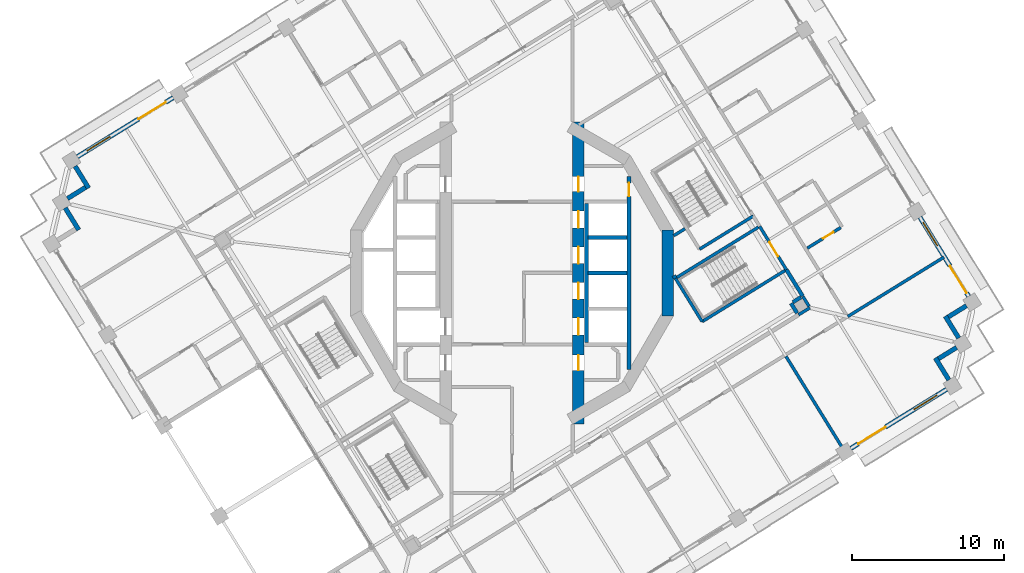
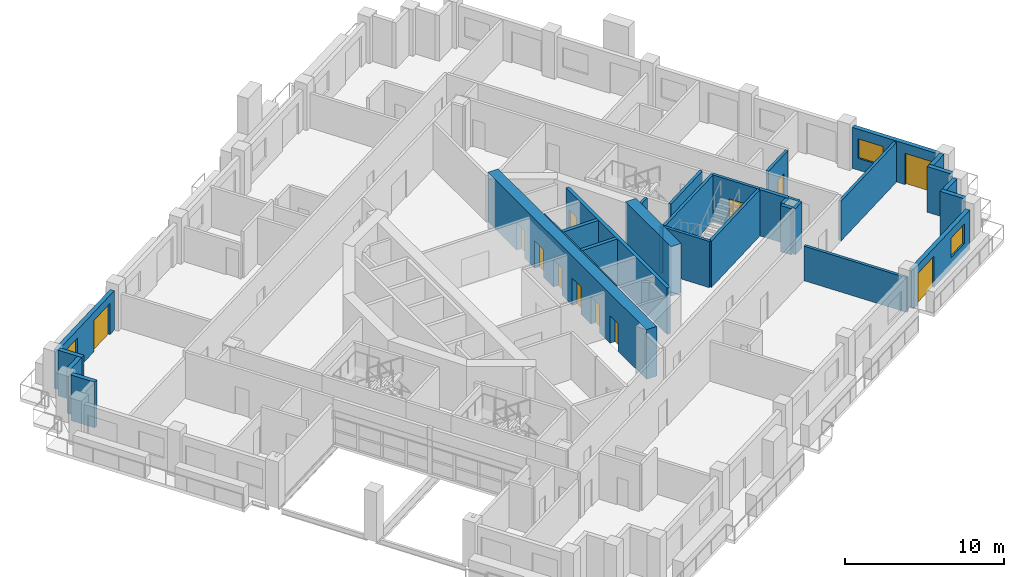
# One storey, part 10 of 22: 31 walls, 12 doors, 3 windows, 15 openings.
"""IFC4 building model written with IfcOpenShell, lengths in metres."""

from ifc_helpers import new_model, si_unit, direction, frame, frame_2d, origin, place, context, subcontext, project, spatial, rectangle, extrude, material, layer, layer_set, type_object, element, fill, save


model = new_model("IFC4")

# Units and contexts
model_context = context("Model", 3, precision=1e-05, world=origin(), true_north=direction((0.0, 1.0)))
body_context = subcontext(model_context, "Body", "Model", "MODEL_VIEW")
ifc_project = project(units=[si_unit("LENGTHUNIT", "METRE"), si_unit("AREAUNIT", "SQUARE_METRE"), si_unit("VOLUMEUNIT", "CUBIC_METRE"), si_unit("PLANEANGLEUNIT", "RADIAN"), si_unit("MASSUNIT", "GRAM", prefix="KILO")], contexts=[model_context])

# Site, building, storey
site_placement = place(None, origin())
site = spatial("IfcSite", under=ifc_project, at=site_placement, CompositionType="ELEMENT")
building_placement = place(site_placement, origin())
building = spatial("IfcBuilding", under=site, at=building_placement, Name="Cantera Rosa Tower", CompositionType="ELEMENT")
storey_placement = place(building_placement, frame((0.0, 0.0, 162.800048828125)))
storey = spatial("IfcBuildingStorey", under=building, at=storey_placement, Name="L35", CompositionType="ELEMENT", Elevation=162.800048828125)

# Walls
ifc_material_1 = material(Name="Gypsum board partition")
ifc_layer_1 = layer(ifc_material_1, 0.199951171875)
ifc_layer_set_1 = layer_set([ifc_layer_1], Name="CORRIDOR WALL 200 H3550")
wall_type_1 = type_object("IfcWallType", Name="CORRIDOR WALL 200 H3550", PredefinedType="PARTITIONING", material=ifc_layer_set_1)
wall_1_placement = place(storey_placement, frame((18.874267578125, -2.7509765625, 0.0), z_axis=(0.0, 0.0, 1.0), x_axis=(0.851162606387, 0.524902102766, 0.0)))
element("IfcWall", 1, at=wall_1_placement, inside=storey, type_object=wall_type_1, Name="CORRIDOR WALL L35-118", PredefinedType="PARTITIONING", context=body_context, shape_type="SweptSolid", body=[
    extrude(rectangle(XDim=0.8798828125, YDim=0.199951171875, at=frame_2d((0.43994140625, 0.0))), origin(), (0.0, 0.0, 1.0), 3.550048828125),
])
wall_2_placement = place(storey_placement, frame((19.57080078125, -2.203857421875, 0.0), z_axis=(0.0, 0.0, 1.0), x_axis=(-0.524952958213, 0.851131242326, 0.0)))
element("IfcWall", 2, at=wall_2_placement, inside=storey, type_object=wall_type_1, Name="CORRIDOR WALL L35-121", PredefinedType="PARTITIONING", context=body_context, shape_type="SweptSolid", body=[
    extrude(rectangle(XDim=0.780029296875, YDim=0.199951171875, at=frame_2d((0.39013671875, 0.0))), origin(), (0.0, 0.0, 1.0), 3.550048828125),
])
ifc_material_2 = material(Name="Hollow clay masonry with cantera stone cladding", Category="masonry")
ifc_layer_2 = layer(ifc_material_2, 0.300048828125)
ifc_layer_set_2 = layer_set([ifc_layer_2], Name="EW-LOGGIA 300")
wall_type_2 = type_object("IfcWallType", Name="EW-LOGGIA 300", PredefinedType="SOLIDWALL", material=ifc_layer_set_2)
wall_3_placement = place(storey_placement, frame((-28.7802734375, 7.0390625, 0.0), z_axis=(0.0, 0.0, 1.0), x_axis=(0.524994468487, -0.851105638601, 0.0)))
element("IfcWall", 3, at=wall_3_placement, inside=storey, type_object=wall_type_2, Name="EN-L35-W13a", PredefinedType="SOLIDWALL", context=body_context, shape_type="SweptSolid", body=[
    extrude(rectangle(XDim=1.7001953125, YDim=0.300048828125, at=frame_2d((0.85009765625, 0.0))), origin(), (0.0, 0.0, 1.0), 3.5),
])
wall_4_placement = place(storey_placement, frame((-28.09423828125, 5.64111328125, 0.0), z_axis=(0.0, 0.0, 1.0), x_axis=(-0.851040987269, -0.525099264891, 0.0)))
element("IfcWall", 4, at=wall_4_placement, inside=storey, type_object=wall_type_2, Name="EN-L35-W13b", PredefinedType="SOLIDWALL", context=body_context, shape_type="SweptSolid", body=[
    extrude(rectangle(XDim=1.39990234375, YDim=0.300048828125, at=frame_2d((0.699951171875, 0.0))), origin(), (0.0, 0.0, 1.0), 3.5),
])
for number, where, z_axis, x_axis, name in (
    (5, (-29.4326171875, 4.286865234375, 0.0), (0.0, 0.0, 1.0), (0.524994468487, -0.851105638601, 0.0), "EN-L35-W14a"),
    (6, (28.7802734375, -7.0390625, 0.0), (0.0, 0.0, 1.0), (-0.524994468487, 0.851105638601, 0.0), "EN-L35-W27a"),
):
    element("IfcWall", number, at=place(storey_placement, frame(where, z_axis=z_axis, x_axis=x_axis)), inside=storey, type_object=wall_type_2, Name=name, PredefinedType="SOLIDWALL", context=body_context, shape_type="SweptSolid", body=[
        extrude(rectangle(XDim=1.7001953125, YDim=0.300048828125, at=frame_2d((0.85009765625, 0.0))), origin(), (0.0, 0.0, 1.0), 3.5),
    ])
wall_5_placement = place(storey_placement, frame((28.09423828125, -5.64111328125, 0.0), z_axis=(0.0, 0.0, 1.0), x_axis=(0.851040987269, 0.525099264891, 0.0)))
element("IfcWall", 7, at=wall_5_placement, inside=storey, type_object=wall_type_2, Name="EN-L35-W27b", PredefinedType="SOLIDWALL", context=body_context, shape_type="SweptSolid", body=[
    extrude(rectangle(XDim=1.39990234375, YDim=0.300048828125, at=frame_2d((0.699951171875, 0.0))), origin(), (0.0, 0.0, 1.0), 3.5),
])
wall_6_placement = place(storey_placement, frame((29.4326171875, -4.286865234375, 0.0), z_axis=(0.0, 0.0, 1.0), x_axis=(-0.524994468487, 0.851105638601, 0.0)))
element("IfcWall", 8, at=wall_6_placement, inside=storey, type_object=wall_type_2, Name="EN-L35-W28a", PredefinedType="SOLIDWALL", context=body_context, shape_type="SweptSolid", body=[
    extrude(rectangle(XDim=1.7001953125, YDim=0.300048828125, at=frame_2d((0.85009765625, 0.0))), origin(), (0.0, 0.0, 1.0), 3.5),
])
wall_7_placement = place(storey_placement, frame((28.74658203125, -2.888916015625, 0.0), z_axis=(0.0, 0.0, 1.0), x_axis=(0.851040987269, 0.525099264891, 0.0)))
element("IfcWall", 9, at=wall_7_placement, inside=storey, type_object=wall_type_2, Name="EN-L35-W28b", PredefinedType="SOLIDWALL", context=body_context, shape_type="SweptSolid", body=[
    extrude(rectangle(XDim=1.39990234375, YDim=0.300048828125, at=frame_2d((0.699951171875, 0.0))), origin(), (0.0, 0.0, 1.0), 3.5),
])

# Wall, openings, window, door
ifc_material_3 = material(Name="Hollow clay masonry with cantera stone cladding", Category="masonry")
ifc_layer_3 = layer(ifc_material_3, 0.300048828125)
ifc_layer_set_3 = layer_set([ifc_layer_3], Name="EW-LOGGIA 300 H3020")
wall_type_3 = type_object("IfcWallType", Name="EW-LOGGIA 300 H3020", PredefinedType="SOLIDWALL", material=ifc_layer_set_3)
wall_8_placement = place(storey_placement, frame((-22.318115234375, 11.5537109375, 0.0), z_axis=(0.0, 0.0, 1.0), x_axis=(-0.851111085575, -0.524985637909, 0.0)))
wall_8 = element("IfcWall", 10, at=wall_8_placement, inside=storey, type_object=wall_type_3, Name="EN-L35-W12", PredefinedType="SOLIDWALL", context=body_context, shape_type="SweptSolid", body=[
    extrude(rectangle(XDim=7.420166015625, YDim=0.300048828125, at=frame_2d((3.7099609375, 0.0))), origin(), (0.0, 0.0, 1.0), 3.02001953125),
])
opening_1_placement = place(wall_8_placement, frame((0.580078125, 0.0, 0.0)))
opening_1 = element("IfcOpeningElement", 11, at=opening_1_placement, cuts=wall_8, Name="Opening L35-TD19", PredefinedType="OPENING", context=body_context, shape_type="SweptSolid", body=[
    extrude(rectangle(XDim=2.10009765625, YDim=2.39990234375, at=frame_2d((1.050048828125, 1.199951171875))), frame((0.0, 0.159912109375, 0.0), z_axis=(0.0, -1.0, 0.0), x_axis=(1.0, 0.0, 0.0)), (0.0, 0.0, 1.0), 0.320068359375),
])
opening_2_placement = place(wall_8_placement, frame((4.889892578125, 0.0, 0.89990234375)))
opening_2 = element("IfcOpeningElement", 12, at=opening_2_placement, cuts=wall_8, Name="Opening L35-W20", PredefinedType="OPENING", context=body_context, shape_type="SweptSolid", body=[
    extrude(rectangle(XDim=1.800048828125, YDim=1.5, at=frame_2d((0.89990234375, 0.75))), frame((0.0, 0.159912109375, 0.0), z_axis=(0.0, -1.0, 0.0), x_axis=(1.0, 0.0, 0.0)), (0.0, 0.0, 1.0), 0.320068359375),
])
ifc_material_4 = material(Name="Aluminium frame with clear glass", Category="aluminium")
window_type = type_object("IfcWindowType", Name="Hotel room window 1800x1500", PartitioningType="DOUBLE_PANEL_VERTICAL", PredefinedType="WINDOW", material=ifc_material_4)
window_1_placement = place(opening_2_placement, origin())
window_1 = element("IfcWindow", 13, at=window_1_placement, inside=storey, type_object=window_type, Name="WINDOW L35-W20", OverallHeight=1.5, OverallWidth=1.800048828125, PartitioningType="SINGLE_PANEL", PredefinedType="WINDOW", context=body_context, shape_type="SweptSolid", body=[
    extrude(rectangle(XDim=1.800048828125, YDim=1.5, at=frame_2d((0.89990234375, 0.75))), frame((0.0, 0.030029296875, 0.0), z_axis=(0.0, -1.0, 0.0), x_axis=(1.0, 0.0, 0.0)), (0.0, 0.0, 1.0), 0.06005859375),
])
fill(opening_2, window_1)
ifc_material_5 = material(Name="Aluminium frame with clear glass", Category="aluminium")
door_type_1 = type_object("IfcDoorType", Name="TD-H 2100x2400", OperationType="NOTDEFINED", PredefinedType="DOOR", material=ifc_material_5)
door_1_placement = place(opening_1_placement, origin())
door_1 = element("IfcDoor", 14, at=door_1_placement, inside=storey, type_object=door_type_1, Name="LOGGIA DOOR L35-TD19", OperationType="SLIDING_TO_LEFT", OverallHeight=2.39990234375, OverallWidth=2.10009765625, PredefinedType="DOOR", context=body_context, shape_type="SweptSolid", body=[
    extrude(rectangle(XDim=2.10009765625, YDim=2.39990234375, at=frame_2d((1.050048828125, 1.199951171875))), frame((0.0, 0.02490234375, 0.0), z_axis=(0.0, -1.0, 0.0), x_axis=(1.0, 0.0, 0.0)), (0.0, 0.0, 1.0), 0.050048828125),
])
fill(opening_1, door_1)

wall_9_placement = place(storey_placement, frame((22.318115234375, -11.5537109375, 0.0), z_axis=(0.0, 0.0, 1.0), x_axis=(0.851111085575, 0.524985637909, 0.0)))
wall_9 = element("IfcWall", 15, at=wall_9_placement, inside=storey, type_object=wall_type_3, Name="EN-L35-W26", PredefinedType="SOLIDWALL", context=body_context, shape_type="SweptSolid", body=[
    extrude(rectangle(XDim=7.420166015625, YDim=0.300048828125, at=frame_2d((3.7099609375, 0.0))), origin(), (0.0, 0.0, 1.0), 3.02001953125),
])
opening_3_placement = place(wall_9_placement, frame((0.580078125, 0.0, 0.0)))
opening_3 = element("IfcOpeningElement", 16, at=opening_3_placement, cuts=wall_9, Name="Opening L35-TD35", PredefinedType="OPENING", context=body_context, shape_type="SweptSolid", body=[
    extrude(rectangle(XDim=2.10009765625, YDim=2.39990234375, at=frame_2d((1.050048828125, 1.199951171875))), frame((0.0, 0.159912109375, 0.0), z_axis=(0.0, -1.0, 0.0), x_axis=(1.0, 0.0, 0.0)), (0.0, 0.0, 1.0), 0.320068359375),
])
opening_4_placement = place(wall_9_placement, frame((4.889892578125, 0.0, 0.89990234375)))
opening_4 = element("IfcOpeningElement", 17, at=opening_4_placement, cuts=wall_9, Name="Opening L35-W36", PredefinedType="OPENING", context=body_context, shape_type="SweptSolid", body=[
    extrude(rectangle(XDim=1.800048828125, YDim=1.5, at=frame_2d((0.89990234375, 0.75))), frame((0.0, 0.159912109375, 0.0), z_axis=(0.0, -1.0, 0.0), x_axis=(1.0, 0.0, 0.0)), (0.0, 0.0, 1.0), 0.320068359375),
])
window_2_placement = place(opening_4_placement, origin())
window_2 = element("IfcWindow", 18, at=window_2_placement, inside=storey, type_object=window_type, Name="WINDOW L35-W36", OverallHeight=1.5, OverallWidth=1.800048828125, PartitioningType="SINGLE_PANEL", PredefinedType="WINDOW", context=body_context, shape_type="SweptSolid", body=[
    extrude(rectangle(XDim=1.800048828125, YDim=1.5, at=frame_2d((0.89990234375, 0.75))), frame((0.0, 0.030029296875, 0.0), z_axis=(0.0, -1.0, 0.0), x_axis=(1.0, 0.0, 0.0)), (0.0, 0.0, 1.0), 0.06005859375),
])
fill(opening_4, window_2)
door_2_placement = place(opening_3_placement, origin())
door_2 = element("IfcDoor", 19, at=door_2_placement, inside=storey, type_object=door_type_1, Name="LOGGIA DOOR L35-TD35", OperationType="SLIDING_TO_LEFT", OverallHeight=2.39990234375, OverallWidth=2.10009765625, PredefinedType="DOOR", context=body_context, shape_type="SweptSolid", body=[
    extrude(rectangle(XDim=2.10009765625, YDim=2.39990234375, at=frame_2d((1.050048828125, 1.199951171875))), frame((0.0, 0.02490234375, 0.0), z_axis=(0.0, -1.0, 0.0), x_axis=(1.0, 0.0, 0.0)), (0.0, 0.0, 1.0), 0.050048828125),
])
fill(opening_3, door_2)

ifc_material_6 = material(Name="Hollow clay masonry with cantera stone cladding", Category="masonry")
ifc_layer_4 = layer(ifc_material_6, 0.300048828125)
ifc_layer_set_4 = layer_set([ifc_layer_4], Name="EW-LOGGIA 300 H3140")
wall_type_4 = type_object("IfcWallType", Name="EW-LOGGIA 300 H3140", PredefinedType="SOLIDWALL", material=ifc_layer_set_4)
wall_10_placement = place(storey_placement, frame((30.084716796875, -1.53466796875, 0.0), z_axis=(0.0, 0.0, 1.0), x_axis=(-0.524987447654, 0.851109969279, 0.0)))
wall_10 = element("IfcWall", 20, at=wall_10_placement, inside=storey, type_object=wall_type_4, Name="EN-L35-W01", PredefinedType="SOLIDWALL", context=body_context, shape_type="SweptSolid", body=[
    extrude(rectangle(XDim=6.119873046875, YDim=0.300048828125, at=frame_2d((3.06005859375, 0.0))), origin(), (0.0, 0.0, 1.0), 3.139892578125),
])
opening_5_placement = place(wall_10_placement, frame((0.2548828125, 0.0, 0.0)))
opening_5 = element("IfcOpeningElement", 21, at=opening_5_placement, cuts=wall_10, Name="Opening L35-TD01", PredefinedType="OPENING", context=body_context, shape_type="SweptSolid", body=[
    extrude(rectangle(XDim=2.10009765625, YDim=2.39990234375, at=frame_2d((1.050048828125, 1.199951171875))), frame((0.0, 0.159912109375, 0.0), z_axis=(0.0, -1.0, 0.0), x_axis=(1.0, 0.0, 0.0)), (0.0, 0.0, 1.0), 0.320068359375),
])
opening_6_placement = place(wall_10_placement, frame((3.9150390625, 0.0, 0.89990234375)))
opening_6 = element("IfcOpeningElement", 22, at=opening_6_placement, cuts=wall_10, Name="Opening L35-W02", PredefinedType="OPENING", context=body_context, shape_type="SweptSolid", body=[
    extrude(rectangle(XDim=1.800048828125, YDim=1.5, at=frame_2d((0.89990234375, 0.75))), frame((0.0, 0.159912109375, 0.0), z_axis=(0.0, -1.0, 0.0), x_axis=(1.0, 0.0, 0.0)), (0.0, 0.0, 1.0), 0.320068359375),
])
window_3_placement = place(opening_6_placement, origin())
window_3 = element("IfcWindow", 23, at=window_3_placement, inside=storey, type_object=window_type, Name="WINDOW L35-W02", OverallHeight=1.5, OverallWidth=1.800048828125, PartitioningType="SINGLE_PANEL", PredefinedType="WINDOW", context=body_context, shape_type="SweptSolid", body=[
    extrude(rectangle(XDim=1.800048828125, YDim=1.5, at=frame_2d((0.89990234375, 0.75))), frame((0.0, 0.030029296875, 0.0), z_axis=(0.0, -1.0, 0.0), x_axis=(1.0, 0.0, 0.0)), (0.0, 0.0, 1.0), 0.06005859375),
])
fill(opening_6, window_3)
door_3_placement = place(opening_5_placement, origin())
door_3 = element("IfcDoor", 24, at=door_3_placement, inside=storey, type_object=door_type_1, Name="LOGGIA DOOR L35-TD01", OperationType="SLIDING_TO_LEFT", OverallHeight=2.39990234375, OverallWidth=2.10009765625, PredefinedType="DOOR", context=body_context, shape_type="SweptSolid", body=[
    extrude(rectangle(XDim=2.10009765625, YDim=2.39990234375, at=frame_2d((1.050048828125, 1.199951171875))), frame((0.0, 0.02490234375, 0.0), z_axis=(0.0, -1.0, 0.0), x_axis=(1.0, 0.0, 0.0)), (0.0, 0.0, 1.0), 0.050048828125),
])
fill(opening_5, door_3)

# Wall
ifc_material_7 = material(Name="Gypsum board partition")
ifc_layer_5 = layer(ifc_material_7, 0.199951171875)
ifc_layer_set_5 = layer_set([ifc_layer_5], Name="PARTITION 200 H3550")
wall_type_5 = type_object("IfcWallType", Name="PARTITION 200 H3550", PredefinedType="PARTITIONING", material=ifc_layer_set_5)
wall_11_placement = place(storey_placement, frame((11.3984375, 2.91845703125, 0.0), z_axis=(0.0, 0.0, 1.0), x_axis=(-0.851062595384, -0.525064242487, 0.0)))
element("IfcWall", 25, at=wall_11_placement, inside=storey, type_object=wall_type_5, Name="PARTITION L35-102", PredefinedType="PARTITIONING", context=body_context, shape_type="SweptSolid", body=[
    extrude(rectangle(XDim=0.873291015625, YDim=0.199951171875, at=frame_2d((0.4365234375, 0.0))), origin(), (0.0, 0.0, 1.0), 3.550048828125),
])

# Wall, opening, door
wall_12_placement = place(storey_placement, frame((21.652587890625, 2.99267578125, 0.0), z_axis=(0.0, 0.0, 1.0), x_axis=(-0.851098989685, -0.525005247362, 0.0)))
wall_12 = element("IfcWall", 26, at=wall_12_placement, inside=storey, type_object=wall_type_5, Name="PARTITION L35-123", PredefinedType="PARTITIONING", context=body_context, shape_type="SweptSolid", body=[
    extrude(rectangle(XDim=2.580078125, YDim=0.199951171875, at=frame_2d((1.2900390625, 0.0))), origin(), (0.0, 0.0, 1.0), 3.550048828125),
])
opening_7_placement = place(wall_12_placement, frame((0.56396484375, 0.0, 0.0)))
opening_7 = element("IfcOpeningElement", 27, at=opening_7_placement, cuts=wall_12, Name="Opening L35-022", PredefinedType="OPENING", context=body_context, shape_type="SweptSolid", body=[
    extrude(rectangle(XDim=0.800048828125, YDim=2.10009765625, at=frame_2d((0.39990234375, 1.050048828125))), frame((0.0, 0.10986328125, 0.0), z_axis=(0.0, -1.0, 0.0), x_axis=(1.0, 0.0, 0.0)), (0.0, 0.0, 1.0), 0.219970703125),
])
ifc_material_8 = material(Name="Timber door leaf", Category="wood")
door_type_2 = type_object("IfcDoorType", Name="BATHROOM DOOR 800x2100", OperationType="NOTDEFINED", PredefinedType="DOOR", material=ifc_material_8)
door_4_placement = place(opening_7_placement, origin())
door_4 = element("IfcDoor", 28, at=door_4_placement, inside=storey, type_object=door_type_2, Name="DOOR L35-022", OperationType="NOTDEFINED", OverallHeight=2.10009765625, OverallWidth=0.800048828125, PredefinedType="DOOR", context=body_context, shape_type="SweptSolid", body=[
    extrude(rectangle(XDim=0.800048828125, YDim=2.10009765625, at=frame_2d((0.39990234375, 1.050048828125))), frame((0.0, 0.02490234375, 0.0), z_axis=(0.0, -1.0, 0.0), x_axis=(1.0, 0.0, 0.0)), (0.0, 0.0, 1.0), 0.050048828125),
])
fill(opening_7, door_4)

# Walls
ifc_material_9 = material(Name="Gypsum board partition")
ifc_layer_6 = layer(ifc_material_9, 0.199951171875)
ifc_layer_set_6 = layer_set([ifc_layer_6], Name="PARTY WALL 200 H2650")
wall_type_6 = type_object("IfcWallType", Name="PARTY WALL 200 H2650", PredefinedType="PARTITIONING", material=ifc_layer_set_6)
wall_13_placement = place(storey_placement, frame((18.05029296875, -5.49169921875, 0.0), z_axis=(0.0, 0.0, 1.0), x_axis=(0.52498429839, -0.851111911821, 0.0)))
element("IfcWall", 29, at=wall_13_placement, inside=storey, type_object=wall_type_6, Name="PARTY WALL L35-114", PredefinedType="PARTITIONING", context=body_context, shape_type="SweptSolid", body=[
    extrude(rectangle(XDim=7.3701171875, YDim=0.199951171875, at=frame_2d((3.68505859375, 0.0))), origin(), (0.0, 0.0, 1.0), 2.64990234375),
])
ifc_material_10 = material(Name="Gypsum board partition")
ifc_layer_7 = layer(ifc_material_10, 0.199951171875)
ifc_layer_set_7 = layer_set([ifc_layer_7], Name="PARTY WALL 200 H3050")
wall_type_7 = type_object("IfcWallType", Name="PARTY WALL 200 H3050", PredefinedType="PARTITIONING", material=ifc_layer_set_7)
wall_14_placement = place(storey_placement, frame((28.4580078125, 1.04541015625, 0.0), z_axis=(0.0, 0.0, 1.0), x_axis=(-0.851127919676, -0.524958345345, 0.0)))
element("IfcWall", 30, at=wall_14_placement, inside=storey, type_object=wall_type_7, Name="PARTY WALL L35-125", PredefinedType="PARTITIONING", context=body_context, shape_type="SweptSolid", body=[
    extrude(rectangle(XDim=7.449951171875, YDim=0.199951171875, at=frame_2d((3.72509765625, 0.0))), origin(), (0.0, 0.0, 1.0), 3.050048828125),
])
ifc_material_11 = material(Name="Concrete C60/75", Category="concrete")
ifc_layer_8 = layer(ifc_material_11, 0.75)
ifc_layer_set_8 = layer_set([ifc_layer_8], Name="RC CORE WALL 750 C60/75")
wall_type_8 = type_object("IfcWallType", Name="RC CORE WALL 750 C60/75", PredefinedType="SHEAR", material=ifc_layer_set_8)
wall_15_placement = place(storey_placement, frame((10.250244140625, 2.846923828125, 0.0), z_axis=(0.0, 0.0, 1.0), x_axis=(0.0, -1.0, 0.0)))
element("IfcWall", 31, at=wall_15_placement, inside=storey, type_object=wall_type_8, Name="CW-E3 L35", PredefinedType="SHEAR", context=body_context, shape_type="SweptSolid", body=[
    extrude(rectangle(XDim=5.69384765625, YDim=0.75, at=frame_2d((2.846923828125, 0.0))), origin(), (0.0, 0.0, 1.0), 3.800048828125),
])

# Wall, openings, doors
wall_16_placement = place(storey_placement, frame((4.375, -9.95947265625, 0.0), z_axis=(0.0, 0.0, 1.0), x_axis=(0.0, 1.0, 0.0)))
wall_16 = element("IfcWall", 32, at=wall_16_placement, inside=storey, type_object=wall_type_8, Name="CW-E6 L35", PredefinedType="SHEAR", context=body_context, shape_type="SweptSolid", body=[
    extrude(rectangle(XDim=19.9189453125, YDim=0.75, at=frame_2d((9.95947265625, 0.0))), origin(), (0.0, 0.0, 1.0), 3.800048828125),
])
opening_8_placement = place(wall_16_placement, frame((5.884521484375, 0.0, 0.0)))
opening_8 = element("IfcOpeningElement", 33, at=opening_8_placement, cuts=wall_16, Name="Opening LD-FF1-L35", PredefinedType="OPENING", context=body_context, shape_type="SweptSolid", body=[
    extrude(rectangle(XDim=1.10009765625, YDim=2.10009765625, at=frame_2d((0.550048828125, 1.050048828125))), frame((0.0, 0.385009765625, 0.0), z_axis=(0.0, -1.0, 0.0), x_axis=(1.0, 0.0, 0.0)), (0.0, 0.0, 1.0), 0.77001953125),
])
opening_9_placement = place(wall_16_placement, frame((8.234619140625, 0.0, 0.0)))
opening_9 = element("IfcOpeningElement", 34, at=opening_9_placement, cuts=wall_16, Name="Opening LD-FF2-L35", PredefinedType="OPENING", context=body_context, shape_type="SweptSolid", body=[
    extrude(rectangle(XDim=1.10009765625, YDim=2.10009765625, at=frame_2d((0.550048828125, 1.050048828125))), frame((0.0, 0.385009765625, 0.0), z_axis=(0.0, -1.0, 0.0), x_axis=(1.0, 0.0, 0.0)), (0.0, 0.0, 1.0), 0.77001953125),
])
opening_10_placement = place(wall_16_placement, frame((10.58447265625, 0.0, 0.0)))
opening_10 = element("IfcOpeningElement", 35, at=opening_10_placement, cuts=wall_16, Name="Opening LD-P1-L35", PredefinedType="OPENING", context=body_context, shape_type="SweptSolid", body=[
    extrude(rectangle(XDim=1.10009765625, YDim=2.10009765625, at=frame_2d((0.550048828125, 1.050048828125))), frame((0.0, 0.385009765625, 0.0), z_axis=(0.0, -1.0, 0.0), x_axis=(1.0, 0.0, 0.0)), (0.0, 0.0, 1.0), 0.77001953125),
])
opening_11_placement = place(wall_16_placement, frame((12.9345703125, 0.0, 0.0)))
opening_11 = element("IfcOpeningElement", 36, at=opening_11_placement, cuts=wall_16, Name="Opening LD-P2-L35", PredefinedType="OPENING", context=body_context, shape_type="SweptSolid", body=[
    extrude(rectangle(XDim=1.10009765625, YDim=2.10009765625, at=frame_2d((0.550048828125, 1.050048828125))), frame((0.0, 0.385009765625, 0.0), z_axis=(0.0, -1.0, 0.0), x_axis=(1.0, 0.0, 0.0)), (0.0, 0.0, 1.0), 0.77001953125),
])
opening_12_placement = place(wall_16_placement, frame((3.55078125, 0.0, 0.0)))
opening_12 = element("IfcOpeningElement", 37, at=opening_12_placement, cuts=wall_16, Name="Opening SD-L35-19", PredefinedType="OPENING", context=body_context, shape_type="SweptSolid", body=[
    extrude(rectangle(XDim=1.0, YDim=2.10009765625, at=frame_2d((0.5, 1.050048828125))), frame((0.0, 0.385009765625, 0.0), z_axis=(0.0, -1.0, 0.0), x_axis=(1.0, 0.0, 0.0)), (0.0, 0.0, 1.0), 0.77001953125),
])
opening_13_placement = place(wall_16_placement, frame((15.318115234375, 0.0, 0.0)))
opening_13 = element("IfcOpeningElement", 38, at=opening_13_placement, cuts=wall_16, Name="Opening SD-L35-20", PredefinedType="OPENING", context=body_context, shape_type="SweptSolid", body=[
    extrude(rectangle(XDim=1.0, YDim=2.10009765625, at=frame_2d((0.5, 1.050048828125))), frame((0.0, 0.385009765625, 0.0), z_axis=(0.0, -1.0, 0.0), x_axis=(1.0, 0.0, 0.0)), (0.0, 0.0, 1.0), 0.77001953125),
])
ifc_material_12 = material(Name="Steel S355J2 (EN 10025-2)", Category="steel")
door_type_3 = type_object("IfcDoorType", Name="LANDING DOOR 1100x2100", OperationType="NOTDEFINED", PredefinedType="DOOR", material=ifc_material_12)
door_5_placement = place(opening_8_placement, origin())
door_5 = element("IfcDoor", 39, at=door_5_placement, inside=storey, type_object=door_type_3, Name="LANDING DOOR FF1 L35", OperationType="SLIDING_TO_LEFT", OverallHeight=2.10009765625, OverallWidth=1.10009765625, PredefinedType="DOOR", context=body_context, shape_type="SweptSolid", body=[
    extrude(rectangle(XDim=1.10009765625, YDim=2.10009765625, at=frame_2d((0.550048828125, 1.050048828125))), frame((0.0, 0.02490234375, 0.0), z_axis=(0.0, -1.0, 0.0), x_axis=(1.0, 0.0, 0.0)), (0.0, 0.0, 1.0), 0.050048828125),
])
fill(opening_8, door_5)
door_6_placement = place(opening_9_placement, origin())
door_6 = element("IfcDoor", 40, at=door_6_placement, inside=storey, type_object=door_type_3, Name="LANDING DOOR FF2 L35", OperationType="SLIDING_TO_LEFT", OverallHeight=2.10009765625, OverallWidth=1.10009765625, PredefinedType="DOOR", context=body_context, shape_type="SweptSolid", body=[
    extrude(rectangle(XDim=1.10009765625, YDim=2.10009765625, at=frame_2d((0.550048828125, 1.050048828125))), frame((0.0, 0.02490234375, 0.0), z_axis=(0.0, -1.0, 0.0), x_axis=(1.0, 0.0, 0.0)), (0.0, 0.0, 1.0), 0.050048828125),
])
fill(opening_9, door_6)
door_7_placement = place(opening_10_placement, origin())
door_7 = element("IfcDoor", 41, at=door_7_placement, inside=storey, type_object=door_type_3, Name="LANDING DOOR P1 L35", OperationType="SLIDING_TO_LEFT", OverallHeight=2.10009765625, OverallWidth=1.10009765625, PredefinedType="DOOR", context=body_context, shape_type="SweptSolid", body=[
    extrude(rectangle(XDim=1.10009765625, YDim=2.10009765625, at=frame_2d((0.550048828125, 1.050048828125))), frame((0.0, 0.02490234375, 0.0), z_axis=(0.0, -1.0, 0.0), x_axis=(1.0, 0.0, 0.0)), (0.0, 0.0, 1.0), 0.050048828125),
])
fill(opening_10, door_7)
door_8_placement = place(opening_11_placement, origin())
door_8 = element("IfcDoor", 42, at=door_8_placement, inside=storey, type_object=door_type_3, Name="LANDING DOOR P2 L35", OperationType="SLIDING_TO_LEFT", OverallHeight=2.10009765625, OverallWidth=1.10009765625, PredefinedType="DOOR", context=body_context, shape_type="SweptSolid", body=[
    extrude(rectangle(XDim=1.10009765625, YDim=2.10009765625, at=frame_2d((0.550048828125, 1.050048828125))), frame((0.0, 0.02490234375, 0.0), z_axis=(0.0, -1.0, 0.0), x_axis=(1.0, 0.0, 0.0)), (0.0, 0.0, 1.0), 0.050048828125),
])
fill(opening_11, door_8)
ifc_material_13 = material(Name="Timber door leaf", Category="wood")
door_type_4 = type_object("IfcDoorType", Name="SERVICE DOOR 1000x2100", OperationType="NOTDEFINED", PredefinedType="DOOR", material=ifc_material_13)
door_9_placement = place(opening_12_placement, origin())
door_9 = element("IfcDoor", 43, at=door_9_placement, inside=storey, type_object=door_type_4, Name="DOOR L35-SD19", OperationType="NOTDEFINED", OverallHeight=2.10009765625, OverallWidth=1.0, PredefinedType="DOOR", context=body_context, shape_type="SweptSolid", body=[
    extrude(rectangle(XDim=1.0, YDim=2.10009765625, at=frame_2d((0.5, 1.050048828125))), frame((0.0, 0.02490234375, 0.0), z_axis=(0.0, -1.0, 0.0), x_axis=(1.0, 0.0, 0.0)), (0.0, 0.0, 1.0), 0.050048828125),
])
fill(opening_12, door_9)
door_10_placement = place(opening_13_placement, origin())
door_10 = element("IfcDoor", 44, at=door_10_placement, inside=storey, type_object=door_type_4, Name="DOOR L35-SD20", OperationType="NOTDEFINED", OverallHeight=2.10009765625, OverallWidth=1.0, PredefinedType="DOOR", context=body_context, shape_type="SweptSolid", body=[
    extrude(rectangle(XDim=1.0, YDim=2.10009765625, at=frame_2d((0.5, 1.050048828125))), frame((0.0, 0.02490234375, 0.0), z_axis=(0.0, -1.0, 0.0), x_axis=(1.0, 0.0, 0.0)), (0.0, 0.0, 1.0), 0.050048828125),
])
fill(opening_13, door_10)

# Walls
ifc_material_14 = material(Name="Masonry blockwork", Category="masonry")
ifc_layer_9 = layer(ifc_material_14, 0.25)
ifc_layer_set_9 = layer_set([ifc_layer_9], Name="SHAFT WALL 250 H3550")
wall_type_9 = type_object("IfcWallType", Name="SHAFT WALL 250 H3550", PredefinedType="SOLIDWALL", material=ifc_layer_set_9)
for number, where, z_axis, x_axis, name in (
    (45, (5.014892578125, 0.0, 0.0), (0.0, 0.0, 1.0), (1.0, 0.0, 0.0), "SHAFT WALL L35-078"),
    (46, (5.014892578125, 2.35009765625, 0.0), (0.0, 0.0, 1.0), (1.0, 0.0, 0.0), "SHAFT WALL L35-079"),
):
    element("IfcWall", number, at=place(storey_placement, frame(where, z_axis=z_axis, x_axis=x_axis)), inside=storey, type_object=wall_type_9, Name=name, PredefinedType="SOLIDWALL", context=body_context, shape_type="SweptSolid", body=[
        extrude(rectangle(XDim=2.56005859375, YDim=0.25, at=frame_2d((1.280029296875, 0.0))), origin(), (0.0, 0.0, 1.0), 3.550048828125),
    ])
wall_17_placement = place(storey_placement, frame((4.89990234375, 4.574951171875, 0.0), z_axis=(0.0, 0.0, 1.0), x_axis=(0.0, -1.0, 0.0)))
element("IfcWall", 47, at=wall_17_placement, inside=storey, type_object=wall_type_9, Name="SHAFT WALL L35-082", PredefinedType="SOLIDWALL", context=body_context, shape_type="SweptSolid", body=[
    extrude(rectangle(XDim=9.14990234375, YDim=0.25, at=frame_2d((4.574951171875, 0.0))), origin(), (0.0, 0.0, 1.0), 3.550048828125),
])

# Wall, opening, door
wall_18_placement = place(storey_placement, frame((7.699951171875, -6.353515625, 0.0), z_axis=(0.0, 0.0, 1.0), x_axis=(0.0, 1.0, 0.0)))
wall_18 = element("IfcWall", 48, at=wall_18_placement, inside=storey, type_object=wall_type_9, Name="SHAFT WALL L35-093", PredefinedType="SOLIDWALL", context=body_context, shape_type="SweptSolid", body=[
    extrude(rectangle(XDim=12.70703125, YDim=0.25, at=frame_2d((6.353515625, 0.0))), origin(), (0.0, 0.0, 1.0), 3.550048828125),
])
opening_14_placement = place(wall_18_placement, frame((11.39990234375, 0.0, 0.0)))
opening_14 = element("IfcOpeningElement", 49, at=opening_14_placement, cuts=wall_18, Name="Opening L35-048", PredefinedType="OPENING", context=body_context, shape_type="SweptSolid", body=[
    extrude(rectangle(XDim=0.89990234375, YDim=2.10009765625, at=frame_2d((0.449951171875, 1.050048828125))), frame((0.0, 0.135009765625, 0.0), z_axis=(0.0, -1.0, 0.0), x_axis=(1.0, 0.0, 0.0)), (0.0, 0.0, 1.0), 0.27001953125),
])
ifc_material_15 = material(Name="Timber door leaf", Category="wood")
door_type_5 = type_object("IfcDoorType", Name="SERVICE DOOR 900x2100", OperationType="NOTDEFINED", PredefinedType="DOOR", material=ifc_material_15)
door_11_placement = place(opening_14_placement, origin())
door_11 = element("IfcDoor", 50, at=door_11_placement, inside=storey, type_object=door_type_5, Name="RISER DOOR L35-048", OperationType="NOTDEFINED", OverallHeight=2.10009765625, OverallWidth=0.89990234375, PredefinedType="DOOR", context=body_context, shape_type="SweptSolid", body=[
    extrude(rectangle(XDim=0.89990234375, YDim=2.10009765625, at=frame_2d((0.449951171875, 1.050048828125))), frame((0.0, 0.02490234375, 0.0), z_axis=(0.0, -1.0, 0.0), x_axis=(1.0, 0.0, 0.0)), (0.0, 0.0, 1.0), 0.050048828125),
])
fill(opening_14, door_11)

# Walls
wall_19_placement = place(storey_placement, frame((10.6552734375, -0.16748046875, 0.0), z_axis=(0.0, 0.0, 1.0), x_axis=(0.524543682015, -0.851383536168, 0.0)))
element("IfcWall", 51, at=wall_19_placement, inside=storey, type_object=wall_type_9, Name="SHAFT WALL L35-099", PredefinedType="SOLIDWALL", context=body_context, shape_type="SweptSolid", body=[
    extrude(rectangle(XDim=0.213623046875, YDim=0.25, at=frame_2d((0.10693359375, 0.0))), origin(), (0.0, 0.0, 1.0), 3.550048828125),
])
wall_20_placement = place(storey_placement, frame((18.384765625, -1.99560546875, 0.0), z_axis=(0.0, 0.0, 1.0), x_axis=(0.52499344753, -0.851106268365, 0.0)))
element("IfcWall", 52, at=wall_20_placement, inside=storey, type_object=wall_type_9, Name="SHAFT WALL L35-116", PredefinedType="SOLIDWALL", context=body_context, shape_type="SweptSolid", body=[
    extrude(rectangle(XDim=0.759765625, YDim=0.25, at=frame_2d((0.3798828125, 0.0))), origin(), (0.0, 0.0, 1.0), 3.550048828125),
])
wall_21_placement = place(storey_placement, frame((19.15087890625, -1.52294921875, 0.0), z_axis=(0.0, 0.0, 1.0), x_axis=(-0.525087139425, 0.851048468661, 0.0)))
element("IfcWall", 53, at=wall_21_placement, inside=storey, type_object=wall_type_9, Name="SHAFT WALL L35-119", PredefinedType="SOLIDWALL", context=body_context, shape_type="SweptSolid", body=[
    extrude(rectangle(XDim=2.050048828125, YDim=0.25, at=frame_2d((1.02490234375, 0.0))), origin(), (0.0, 0.0, 1.0), 3.550048828125),
])
wall_22_placement = place(storey_placement, frame((19.031494140625, -1.596435546875, 0.0), z_axis=(0.0, 0.0, 1.0), x_axis=(-0.85092741859, -0.52528328385, 0.0)))
element("IfcWall", 54, at=wall_22_placement, inside=storey, type_object=wall_type_9, Name="SHAFT WALL L35-120", PredefinedType="SOLIDWALL", context=body_context, shape_type="SweptSolid", body=[
    extrude(rectangle(XDim=0.6201171875, YDim=0.25, at=frame_2d((0.31005859375, 0.0))), origin(), (0.0, 0.0, 1.0), 3.550048828125),
])
ifc_material_16 = material(Name="Concrete C50/60", Category="concrete")
ifc_layer_10 = layer(ifc_material_16, 0.199951171875)
ifc_layer_set_10 = layer_set([ifc_layer_10], Name="STAIR WALL 200 H3550")
wall_type_10 = type_object("IfcWallType", Name="STAIR WALL 200 H3550", PredefinedType="SOLIDWALL", material=ifc_layer_set_10)
wall_23_placement = place(storey_placement, frame((10.767333984375, -0.349365234375, 0.0), z_axis=(0.0, 0.0, 1.0), x_axis=(0.524938861495, -0.85113993661, 0.0)))
element("IfcWall", 55, at=wall_23_placement, inside=storey, type_object=wall_type_10, Name="STAIR WALL L35-100", PredefinedType="SOLIDWALL", context=body_context, shape_type="SweptSolid", body=[
    extrude(rectangle(XDim=3.35009765625, YDim=0.199951171875, at=frame_2d((1.675048828125, 0.0))), origin(), (0.0, 0.0, 1.0), 3.550048828125),
])
for number, where, z_axis, x_axis, name in (
    (56, (10.767333984375, -0.349365234375, 0.0), (0.0, 0.0, 1.0), (0.851120392665, 0.524970548879, 0.0), "STAIR WALL L35-101"),
    (57, (12.52587890625, -3.20068359375, 0.0), (0.0, 0.0, 1.0), (0.851120392665, 0.524970548879, 0.0), "STAIR WALL L35-103"),
):
    element("IfcWall", number, at=place(storey_placement, frame(where, z_axis=z_axis, x_axis=x_axis)), inside=storey, type_object=wall_type_10, Name=name, PredefinedType="SOLIDWALL", context=body_context, shape_type="SweptSolid", body=[
        extrude(rectangle(XDim=6.51904296875, YDim=0.199951171875, at=frame_2d((3.259521484375, 0.0))), origin(), (0.0, 0.0, 1.0), 3.550048828125),
    ])
wall_24_placement = place(storey_placement, frame((15.8955078125, 3.754638671875, 0.0), z_axis=(0.0, 0.0, 1.0), x_axis=(-0.851120688733, -0.524970068871, 0.0)))
element("IfcWall", 58, at=wall_24_placement, inside=storey, type_object=wall_type_10, Name="STAIR WALL L35-109", PredefinedType="SOLIDWALL", context=body_context, shape_type="SweptSolid", body=[
    extrude(rectangle(XDim=4.16650390625, YDim=0.199951171875, at=frame_2d((2.083251953125, 0.0))), origin(), (0.0, 0.0, 1.0), 3.550048828125),
])

# Wall, opening, door
wall_25_placement = place(storey_placement, frame((18.074462890625, 0.2216796875, 0.0), z_axis=(0.0, 0.0, 1.0), x_axis=(-0.524938861495, 0.85113993661, 0.0)))
wall_25 = element("IfcWall", 59, at=wall_25_placement, inside=storey, type_object=wall_type_10, Name="STAIR WALL L35-115", PredefinedType="SOLIDWALL", context=body_context, shape_type="SweptSolid", body=[
    extrude(rectangle(XDim=3.35009765625, YDim=0.199951171875, at=frame_2d((1.675048828125, 0.0))), origin(), (0.0, 0.0, 1.0), 3.550048828125),
])
opening_15_placement = place(wall_25_placement, frame((1.02978515625, 0.0, 0.0)))
opening_15 = element("IfcOpeningElement", 60, at=opening_15_placement, cuts=wall_25, Name="Opening L35-004", PredefinedType="OPENING", context=body_context, shape_type="SweptSolid", body=[
    extrude(rectangle(XDim=1.10009765625, YDim=2.10009765625, at=frame_2d((0.550048828125, 1.050048828125))), frame((0.0, 0.10986328125, 0.0), z_axis=(0.0, -1.0, 0.0), x_axis=(1.0, 0.0, 0.0)), (0.0, 0.0, 1.0), 0.219970703125),
])
ifc_material_17 = material(Name="Steel S355J2 (EN 10025-2)", Category="steel")
door_type_6 = type_object("IfcDoorType", Name="STAIR DOOR 1100x2100", OperationType="NOTDEFINED", PredefinedType="DOOR", material=ifc_material_17)
door_12_placement = place(opening_15_placement, origin())
door_12 = element("IfcDoor", 61, at=door_12_placement, inside=storey, type_object=door_type_6, Name="DOOR L35-004", OperationType="NOTDEFINED", OverallHeight=2.10009765625, OverallWidth=1.10009765625, PredefinedType="DOOR", context=body_context, shape_type="SweptSolid", body=[
    extrude(rectangle(XDim=1.10009765625, YDim=2.10009765625, at=frame_2d((0.550048828125, 1.050048828125))), frame((0.0, 0.02490234375, 0.0), z_axis=(0.0, -1.0, 0.0), x_axis=(1.0, 0.0, 0.0)), (0.0, 0.0, 1.0), 0.050048828125),
])
fill(opening_15, door_12)

save(model, "model.ifc")
